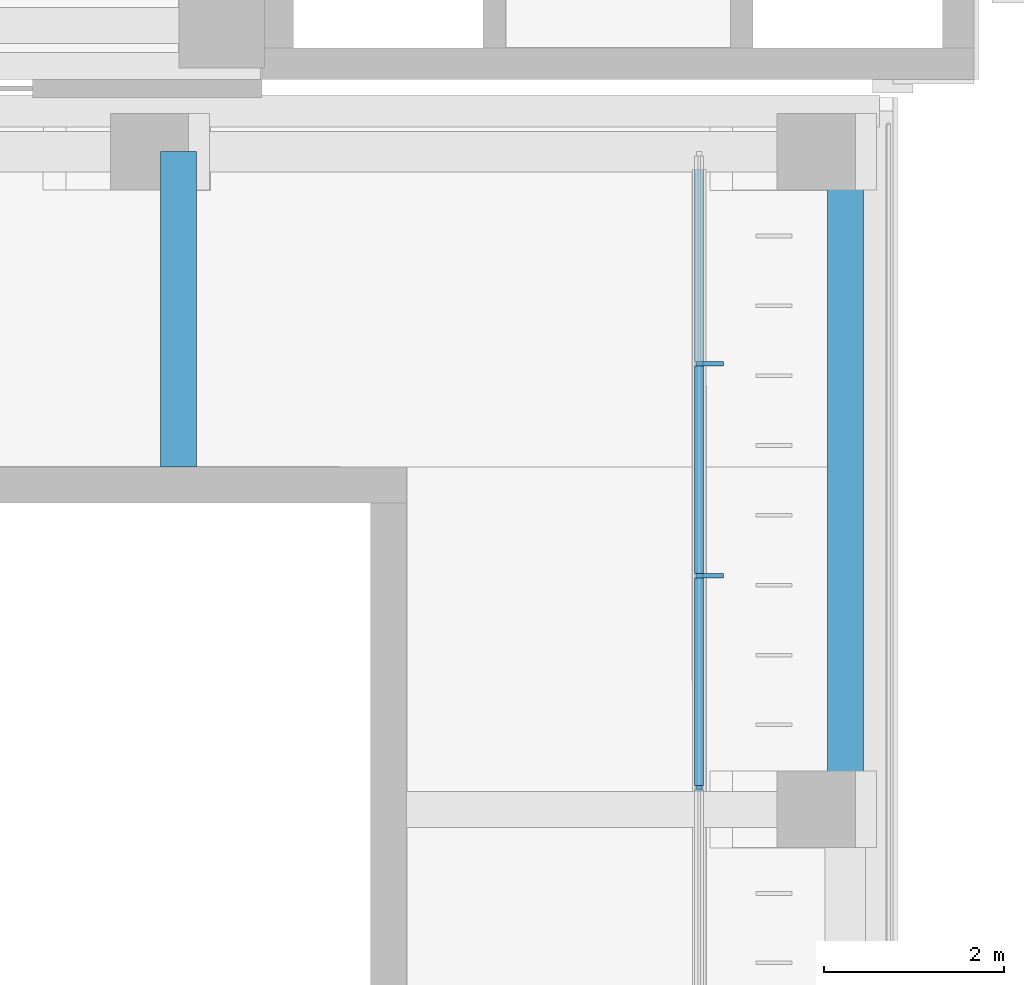
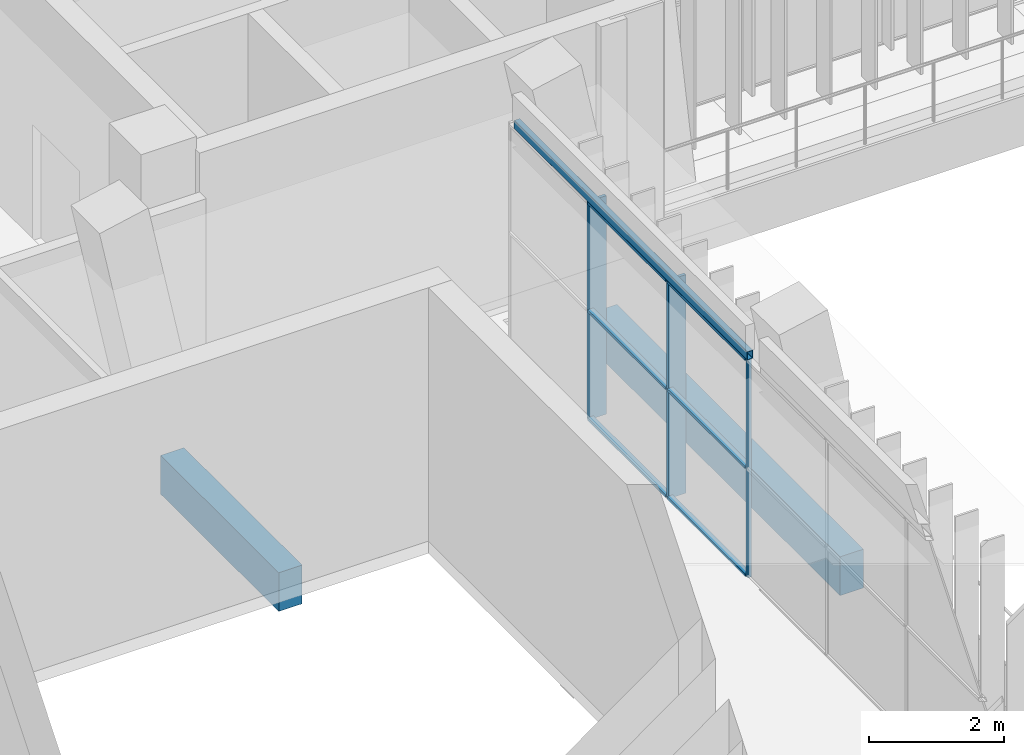
# One storey, part 25 of 92: 9 members, 3 beams, 1 element without a shape of its own.
"""IFC4 building model written with IfcOpenShell, lengths in metres."""

from ifc_helpers import new_model, si_unit, direction, frame, origin, origin_2d, place, context, subcontext, project, spatial, rectangle, hollow_rectangle, extrude, material, material_profile, profile_set, type_object, element, aggregate, save


model = new_model("IFC4")

# Units and contexts
model_context = context("Model", 3, precision=1e-05, world=origin(), true_north=direction((0.0, 1.0)))
body_context = subcontext(model_context, "Body", "Model", "MODEL_VIEW")
ifc_project = project(units=[si_unit("LENGTHUNIT", "METRE"), si_unit("AREAUNIT", "SQUARE_METRE"), si_unit("VOLUMEUNIT", "CUBIC_METRE"), si_unit("PLANEANGLEUNIT", "RADIAN"), si_unit("MASSUNIT", "GRAM", prefix="KILO")], contexts=[model_context])

# Site, building, storey
site_placement = place(None, origin())
site = spatial("IfcSite", under=ifc_project, at=site_placement, CompositionType="ELEMENT")
building_placement = place(site_placement, origin())
building = spatial("IfcBuilding", under=site, at=building_placement, Name="Lantern Court Media Centre", CompositionType="ELEMENT")
storey_placement = place(building_placement, frame((0.0, 0.0, 4.800048828125)))
storey = spatial("IfcBuildingStorey", under=building, at=storey_placement, Name="L01", CompositionType="ELEMENT", Elevation=4.800048828125)

# Curtain wall, members
ifc_material_1 = material(Name="Curtain wall bay 2400")
curtain_wall_type = type_object("IfcCurtainWallType", Name="Curtain wall bay 2400", PredefinedType="NOTDEFINED", material=ifc_material_1)
curtain_wall_placement = place(storey_placement, origin())
curtain_wall = element("IfcCurtainWall", 1, at=curtain_wall_placement, inside=storey, type_object=curtain_wall_type, Name="Curtain wall W inner L01", PredefinedType="NOTDEFINED")
ifc_material_2 = material(Name="Anodised aluminium", Category="aluminium")
ifc_material_profile_1 = material_profile(ifc_material_2, rectangle(XDim=0.300048828125, YDim=0.050048828125, at=origin_2d()), Name="AL 50x300")
ifc_profile_set_1 = profile_set([ifc_material_profile_1], Name="Anodised aluminium")
member_type_1 = type_object("IfcMemberType", Name="Curtain wall mullion 50x300", PredefinedType="MULLION", material=ifc_profile_set_1)
member_1_placement = place(storey_placement, frame((20.969970703125, 90.59228515625, 0.0), z_axis=(0.0, 0.0, 1.0), x_axis=(-1.0, 0.0, 0.0)))
member_1 = element("IfcMember", 2, at=member_1_placement, type_object=member_type_1, Name="CW2 mullion 12", PredefinedType="MULLION", context=body_context, shape_type="SweptSolid", body=[
    extrude(rectangle(XDim=0.300048828125, YDim=0.050048828125, at=origin_2d()), origin(), (0.0, 0.0, 1.0), 3.949951171875),
])
member_2_placement = place(storey_placement, frame((20.969970703125, 92.946044921875, 0.0), z_axis=(0.0, 0.0, 1.0), x_axis=(-1.0, 0.0, 0.0)))
member_2 = element("IfcMember", 3, at=member_2_placement, type_object=member_type_1, Name="CW2 mullion 13", PredefinedType="MULLION", context=body_context, shape_type="SweptSolid", body=[
    extrude(rectangle(XDim=0.300048828125, YDim=0.050048828125, at=origin_2d()), origin(), (0.0, 0.0, 1.0), 3.949951171875),
])
ifc_material_profile_2 = material_profile(ifc_material_2, rectangle(XDim=0.06005859375, YDim=0.050048828125, at=origin_2d()), Name="AL 50x60")
ifc_profile_set_2 = profile_set([ifc_material_profile_2], Name="Anodised aluminium")
member_type_2 = type_object("IfcMemberType", Name="Curtain wall mullion 50x60", PredefinedType="MULLION", material=ifc_profile_set_2)
member_3_placement = place(storey_placement, frame((20.85009765625, 88.238525390625, 0.0), z_axis=(0.0, 0.0, 1.0), x_axis=(-1.0, 0.0, 0.0)))
member_3 = element("IfcMember", 4, at=member_3_placement, type_object=member_type_2, Name="CW2 mullion 11", PredefinedType="MULLION", context=body_context, shape_type="SweptSolid", body=[
    extrude(rectangle(XDim=0.06005859375, YDim=0.050048828125, at=origin_2d()), origin(), (0.0, 0.0, 1.0), 3.949951171875),
])
ifc_material_profile_3 = material_profile(ifc_material_2, rectangle(XDim=0.10009765625, YDim=0.050048828125, at=origin_2d()), Name="AL 50x100")
ifc_profile_set_3 = profile_set([ifc_material_profile_3], Name="Anodised aluminium")
member_type_3 = type_object("IfcMemberType", Name="Curtain wall transom 100x50", PredefinedType="USERDEFINED", material=ifc_profile_set_3)
member_4_placement = place(storey_placement, frame((20.85009765625, 88.263427734375, 0.02490234375), z_axis=(0.0, 1.0, 0.0), x_axis=(-1.0, 0.0, 0.0)))
member_4 = element("IfcMember", 5, at=member_4_placement, type_object=member_type_3, Name="CW2 transom 11.1", ObjectType="TRANSOM", PredefinedType="USERDEFINED", context=body_context, shape_type="SweptSolid", body=[
    extrude(rectangle(XDim=0.10009765625, YDim=0.050048828125, at=origin_2d()), origin(), (0.0, 0.0, 1.0), 2.303955078125),
])
member_5_placement = place(storey_placement, frame((20.85009765625, 88.263427734375, 1.974853515625), z_axis=(0.0, 1.0, 0.0), x_axis=(-1.0, 0.0, 0.0)))
member_5 = element("IfcMember", 6, at=member_5_placement, type_object=member_type_3, Name="CW2 transom 11.2", ObjectType="TRANSOM", PredefinedType="USERDEFINED", context=body_context, shape_type="SweptSolid", body=[
    extrude(rectangle(XDim=0.10009765625, YDim=0.050048828125, at=origin_2d()), origin(), (0.0, 0.0, 1.0), 2.303955078125),
])
member_6_placement = place(storey_placement, frame((20.85009765625, 88.263427734375, 3.925048828125), z_axis=(0.0, 1.0, 0.0), x_axis=(-1.0, 0.0, 0.0)))
member_6 = element("IfcMember", 7, at=member_6_placement, type_object=member_type_3, Name="CW2 transom 11.3", ObjectType="TRANSOM", PredefinedType="USERDEFINED", context=body_context, shape_type="SweptSolid", body=[
    extrude(rectangle(XDim=0.10009765625, YDim=0.050048828125, at=origin_2d()), origin(), (0.0, 0.0, 1.0), 2.303955078125),
])
member_7_placement = place(storey_placement, frame((20.85009765625, 90.6171875, 0.02490234375), z_axis=(0.0, 1.0, 0.0), x_axis=(-1.0, 0.0, 0.0)))
member_7 = element("IfcMember", 8, at=member_7_placement, type_object=member_type_3, Name="CW2 transom 12.1", ObjectType="TRANSOM", PredefinedType="USERDEFINED", context=body_context, shape_type="SweptSolid", body=[
    extrude(rectangle(XDim=0.10009765625, YDim=0.050048828125, at=origin_2d()), origin(), (0.0, 0.0, 1.0), 2.303955078125),
])
member_8_placement = place(storey_placement, frame((20.85009765625, 90.6171875, 1.974853515625), z_axis=(0.0, 1.0, 0.0), x_axis=(-1.0, 0.0, 0.0)))
member_8 = element("IfcMember", 9, at=member_8_placement, type_object=member_type_3, Name="CW2 transom 12.2", ObjectType="TRANSOM", PredefinedType="USERDEFINED", context=body_context, shape_type="SweptSolid", body=[
    extrude(rectangle(XDim=0.10009765625, YDim=0.050048828125, at=origin_2d()), origin(), (0.0, 0.0, 1.0), 2.303955078125),
])
member_9_placement = place(storey_placement, frame((20.85009765625, 90.6171875, 3.925048828125), z_axis=(0.0, 1.0, 0.0), x_axis=(-1.0, 0.0, 0.0)))
member_9 = element("IfcMember", 10, at=member_9_placement, type_object=member_type_3, Name="CW2 transom 12.3", ObjectType="TRANSOM", PredefinedType="USERDEFINED", context=body_context, shape_type="SweptSolid", body=[
    extrude(rectangle(XDim=0.10009765625, YDim=0.050048828125, at=origin_2d()), origin(), (0.0, 0.0, 1.0), 2.303955078125),
])
aggregate(curtain_wall, [member_3, member_1, member_2, member_4, member_5, member_6, member_7, member_8, member_9])

# Beams
ifc_material_3 = material(Name="Steel S355J2 (EN 10025-2)", Category="steel")
ifc_material_profile_4 = material_profile(ifc_material_3, hollow_rectangle(XDim=0.10009765625, YDim=0.14990234375, WallThickness=0.00634765625, InnerFilletRadius=0.00634765625, OuterFilletRadius=0.009521484375, at=origin_2d()), Name="Facade head lintel RHS 150x100x6.3")
ifc_profile_set_4 = profile_set([ifc_material_profile_4], Name="Steel S355J2 (EN 10025-2)")
beam_type_1 = type_object("IfcBeamType", Name="Facade head lintel RHS 150x100x6.3", PredefinedType="BEAM", material=ifc_profile_set_4)
beam_1_placement = place(storey_placement, frame((20.85009765625, 88.199951171875, 4.02490234375), z_axis=(0.0, 1.0, 0.0), x_axis=(-1.0, 0.0, 0.0)))
element("IfcBeam", 11, at=beam_1_placement, inside=storey, type_object=beam_type_1, Name="Facade head lintel W L01", PredefinedType="BEAM", context=body_context, shape_type="SweptSolid", body=[
    extrude(hollow_rectangle(XDim=0.10009765625, YDim=0.14990234375, WallThickness=0.00634765625, InnerFilletRadius=0.00634765625, OuterFilletRadius=0.009521484375, at=origin_2d()), origin(), (0.0, 0.0, 1.0), 6.900146484375),
])
ifc_material_4 = material(Name="Concrete C35", Category="concrete")
ifc_material_profile_5 = material_profile(ifc_material_4, rectangle(XDim=0.39990234375, YDim=0.699951171875, at=origin_2d()), Name="RC 400x700")
ifc_profile_set_5 = profile_set([ifc_material_profile_5], Name="Concrete C35")
beam_type_2 = type_object("IfcBeamType", Name="RC BEAM 400x700", PredefinedType="BEAM", material=ifc_profile_set_5)
beam_2_placement = place(storey_placement, frame((15.072998046875, 91.800048828125, -0.35009765625), z_axis=(0.0, 1.0, 0.0), x_axis=(-1.0, 0.0, 0.0)))
element("IfcBeam", 12, at=beam_2_placement, inside=storey, type_object=beam_type_2, Name="LB-W-L01-1-11", PredefinedType="BEAM", context=body_context, shape_type="SweptSolid", body=[
    extrude(rectangle(XDim=0.39990234375, YDim=0.699951171875, at=origin_2d()), origin(), (0.0, 0.0, 1.0), 3.5),
])
beam_3_placement = place(storey_placement, frame((22.472900390625, 88.0, -0.35009765625), z_axis=(0.0, 1.0, 0.0), x_axis=(-1.0, 0.0, 0.0)))
element("IfcBeam", 13, at=beam_3_placement, inside=storey, type_object=beam_type_2, Name="LB-W-L01-2-3", PredefinedType="BEAM", context=body_context, shape_type="SweptSolid", body=[
    extrude(rectangle(XDim=0.39990234375, YDim=0.699951171875, at=origin_2d()), origin(), (0.0, 0.0, 1.0), 7.300048828125),
])

save(model, "model.ifc")
